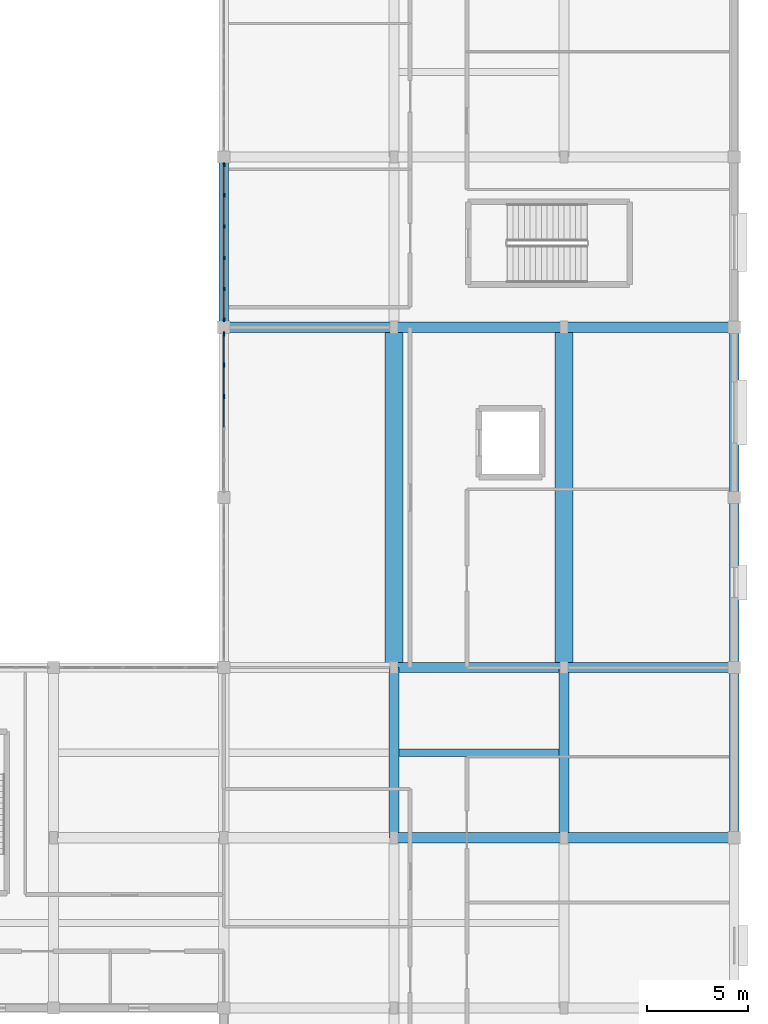
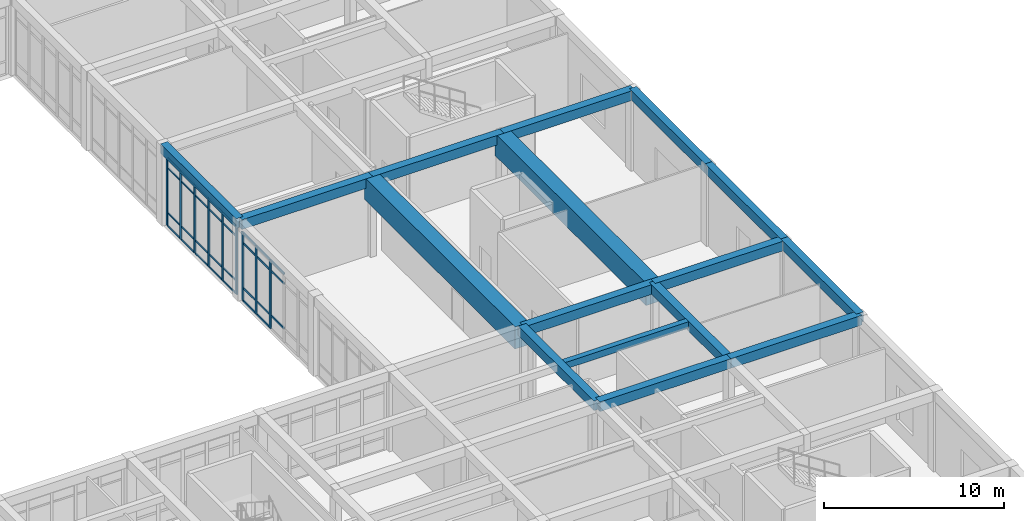
# One storey, part 34 of 89: 40 members, 16 beams, 2 elements without a shape of their own.
"""IFC4 building model written with IfcOpenShell, lengths in metres."""

from ifc_helpers import new_model, si_unit, direction, frame, origin, origin_2d, place, context, subcontext, project, spatial, rectangle, extrude, material, material_profile, profile_set, type_object, element, aggregate, save


model = new_model("IFC4")

# Units and contexts
model_context = context("Model", 3, precision=1e-05, world=origin(), true_north=direction((0.0, 1.0)))
body_context = subcontext(model_context, "Body", "Model", "MODEL_VIEW")
ifc_project = project(units=[si_unit("LENGTHUNIT", "METRE"), si_unit("AREAUNIT", "SQUARE_METRE"), si_unit("VOLUMEUNIT", "CUBIC_METRE"), si_unit("PLANEANGLEUNIT", "RADIAN"), si_unit("MASSUNIT", "GRAM", prefix="KILO")], contexts=[model_context])

# Site, building, storey
site_placement = place(None, origin())
site = spatial("IfcSite", under=ifc_project, at=site_placement, CompositionType="ELEMENT")
building_placement = place(site_placement, origin())
building = spatial("IfcBuilding", under=site, at=building_placement, Name="Varncliffe General Hospital", CompositionType="ELEMENT")
storey_placement = place(building_placement, frame((0.0, 0.0, 10.800048828125)))
storey = spatial("IfcBuildingStorey", under=building, at=storey_placement, Name="L02", CompositionType="ELEMENT", Elevation=10.800048828125)

# Beams
ifc_material_1 = material(Name="Concrete C35/45 (CSA A23.1 35 MPa)", Category="concrete")
ifc_material_profile_1 = material_profile(ifc_material_1, rectangle(XDim=0.5, YDim=0.64990234375, at=origin_2d()), Name="RC 500x650")
ifc_profile_set_1 = profile_set([ifc_material_profile_1], Name="Concrete C35/45 (CSA A23.1 35 MPa)")
beam_type_1 = type_object("IfcBeamType", Name="Beam B29 (Int RC 500x650)", PredefinedType="BEAM", material=ifc_profile_set_1)
for number, where, z_axis, x_axis, name in (
    (1, (159.60009765625, 32.39990234375, 5.074951171875), (1.0, 0.0, 0.0), (0.0, 1.0, 0.0), "L02 Primary Beam B29-39"),
    (2, (168.0, 32.39990234375, 5.074951171875), (1.0, 0.0, 0.0), (0.0, 1.0, 0.0), "L02 Primary Beam B29-40"),
    (3, (159.60009765625, 40.800048828125, 5.074951171875), (1.0, 0.0, 0.0), (0.0, 1.0, 0.0), "L02 Primary Beam B29-49"),
    (4, (168.0, 40.800048828125, 5.074951171875), (1.0, 0.0, 0.0), (0.0, 1.0, 0.0), "L02 Primary Beam B29-50"),
):
    element("IfcBeam", number, at=place(storey_placement, frame(where, z_axis=z_axis, x_axis=x_axis)), inside=storey, type_object=beam_type_1, Name=name, PredefinedType="BEAM", context=body_context, shape_type="SweptSolid", body=[
        extrude(rectangle(XDim=0.5, YDim=0.64990234375, at=origin_2d()), origin(), (0.0, 0.0, 1.0), 8.39990234375),
    ])
beam_1_placement = place(storey_placement, frame((151.199951171875, 57.60009765625, 5.074951171875), z_axis=(1.0, 0.0, 0.0), x_axis=(0.0, 1.0, 0.0)))
element("IfcBeam", 5, at=beam_1_placement, inside=storey, type_object=beam_type_1, Name="L02 Primary Beam B29-64", PredefinedType="BEAM", context=body_context, shape_type="SweptSolid", body=[
    extrude(rectangle(XDim=0.5, YDim=0.64990234375, at=origin_2d()), origin(), (0.0, 0.0, 1.0), 8.400146484375),
])
for number, where, z_axis, x_axis, name in (
    (6, (159.60009765625, 57.60009765625, 5.074951171875), (1.0, 0.0, 0.0), (0.0, 1.0, 0.0), "L02 Primary Beam B29-65"),
    (7, (168.0, 57.60009765625, 5.074951171875), (1.0, 0.0, 0.0), (0.0, 1.0, 0.0), "L02 Primary Beam B29-66"),
):
    element("IfcBeam", number, at=place(storey_placement, frame(where, z_axis=z_axis, x_axis=x_axis)), inside=storey, type_object=beam_type_1, Name=name, PredefinedType="BEAM", context=body_context, shape_type="SweptSolid", body=[
        extrude(rectangle(XDim=0.5, YDim=0.64990234375, at=origin_2d()), origin(), (0.0, 0.0, 1.0), 8.39990234375),
    ])
for number, where, z_axis, x_axis, name in (
    (8, (159.60009765625, 32.39990234375, 5.074951171875), (0.0, 1.0, 0.0), (-1.0, 0.0, 0.0), "L02 Primary Beam B29-450"),
    (9, (168.0, 32.39990234375, 5.074951171875), (0.0, 1.0, 0.0), (-1.0, 0.0, 0.0), "L02 Primary Beam B29-465"),
):
    element("IfcBeam", number, at=place(storey_placement, frame(where, z_axis=z_axis, x_axis=x_axis)), inside=storey, type_object=beam_type_1, Name=name, PredefinedType="BEAM", context=body_context, shape_type="SweptSolid", body=[
        extrude(rectangle(XDim=0.5, YDim=0.64990234375, at=origin_2d()), origin(), (0.0, 0.0, 1.0), 8.400146484375),
    ])
ifc_material_2 = material(Name="Concrete C40/50 (CSA A23.1 40 MPa)", Category="concrete")
ifc_material_profile_2 = material_profile(ifc_material_2, rectangle(XDim=0.89990234375, YDim=1.5, at=origin_2d()), Name="RC 900x1500")
ifc_profile_set_2 = profile_set([ifc_material_profile_2], Name="Concrete C40/50 (CSA A23.1 40 MPa)")
beam_type_2 = type_object("IfcBeamType", Name="Beam B88 (Int RC 900x1500)", PredefinedType="BEAM", material=ifc_profile_set_2)
for number, where, z_axis, x_axis, name in (
    (10, (159.60009765625, 40.800048828125, 4.64990234375), (0.0, 1.0, 0.0), (-1.0, 0.0, 0.0), "L02 Transfer Girder B88-451"),
    (11, (168.0, 40.800048828125, 4.64990234375), (0.0, 1.0, 0.0), (-1.0, 0.0, 0.0), "L02 Transfer Girder B88-466"),
):
    element("IfcBeam", number, at=place(storey_placement, frame(where, z_axis=z_axis, x_axis=x_axis)), inside=storey, type_object=beam_type_2, Name=name, PredefinedType="BEAM", context=body_context, shape_type="SweptSolid", body=[
        extrude(rectangle(XDim=0.89990234375, YDim=1.5, at=origin_2d()), origin(), (0.0, 0.0, 1.0), 16.800048828125),
    ])

# Curtain wall, members
ifc_material_3 = material(Name="Triple low-E argon insulated vision glazing", Category="glass")
curtain_wall_type_1 = type_object("IfcCurtainWallType", Name="Unitised Glazed Curtain Wall CW70 (7724x4640)", PredefinedType="USERDEFINED", material=ifc_material_3)
curtain_wall_1_placement = place(storey_placement, origin())
curtain_wall_1 = element("IfcCurtainWall", 12, at=curtain_wall_1_placement, inside=storey, type_object=curtain_wall_type_1, Name="L02 Glazed Curtain Wall CW70-124", ObjectType="GLAZED CURTAIN WALL", PredefinedType="USERDEFINED")
ifc_material_4 = material(Name="Dark bronze thermally broken aluminium framing", Category="aluminium")
ifc_material_profile_3 = material_profile(ifc_material_4, rectangle(XDim=0.074951171875, YDim=0.179931640625, at=origin_2d()), Name="ALU 75x180")
ifc_profile_set_3 = profile_set([ifc_material_profile_3], Name="Dark bronze thermally broken aluminium framing")
member_type_1 = type_object("IfcMemberType", Name="Curtain Wall Mullion CM44 (ALU 75x180)", PredefinedType="MULLION", material=ifc_profile_set_3)
member_1_placement = place(storey_placement, frame((151.199951171875, 57.9755859375, 0.0), z_axis=(0.0, 0.0, 1.0), x_axis=(-1.0, 0.0, 0.0)))
member_1 = element("IfcMember", 13, at=member_1_placement, type_object=member_type_1, Name="CW70 mullion 1", PredefinedType="MULLION", context=body_context, shape_type="SweptSolid", body=[
    extrude(rectangle(XDim=0.074951171875, YDim=0.179931640625, at=origin_2d()), origin(), (0.0, 0.0, 1.0), 4.639892578125),
])
member_2_placement = place(storey_placement, frame((151.199951171875, 59.48291015625, 0.0), z_axis=(0.0, 0.0, 1.0), x_axis=(-1.0, 0.0, 0.0)))
member_2 = element("IfcMember", 14, at=member_2_placement, type_object=member_type_1, Name="CW70 mullion 2", PredefinedType="MULLION", context=body_context, shape_type="SweptSolid", body=[
    extrude(rectangle(XDim=0.074951171875, YDim=0.179931640625, at=origin_2d()), origin(), (0.0, 0.0, 1.0), 4.639892578125),
])
member_3_placement = place(storey_placement, frame((151.199951171875, 61.027587890625, 0.0), z_axis=(0.0, 0.0, 1.0), x_axis=(-1.0, 0.0, 0.0)))
member_3 = element("IfcMember", 15, at=member_3_placement, type_object=member_type_1, Name="CW70 mullion 3", PredefinedType="MULLION", context=body_context, shape_type="SweptSolid", body=[
    extrude(rectangle(XDim=0.074951171875, YDim=0.179931640625, at=origin_2d()), origin(), (0.0, 0.0, 1.0), 4.639892578125),
])
member_4_placement = place(storey_placement, frame((151.199951171875, 62.572509765625, 0.0), z_axis=(0.0, 0.0, 1.0), x_axis=(-1.0, 0.0, 0.0)))
member_4 = element("IfcMember", 16, at=member_4_placement, type_object=member_type_1, Name="CW70 mullion 4", PredefinedType="MULLION", context=body_context, shape_type="SweptSolid", body=[
    extrude(rectangle(XDim=0.074951171875, YDim=0.179931640625, at=origin_2d()), origin(), (0.0, 0.0, 1.0), 4.639892578125),
])
member_5_placement = place(storey_placement, frame((151.199951171875, 64.1171875, 0.0), z_axis=(0.0, 0.0, 1.0), x_axis=(-1.0, 0.0, 0.0)))
member_5 = element("IfcMember", 17, at=member_5_placement, type_object=member_type_1, Name="CW70 mullion 5", PredefinedType="MULLION", context=body_context, shape_type="SweptSolid", body=[
    extrude(rectangle(XDim=0.074951171875, YDim=0.179931640625, at=origin_2d()), origin(), (0.0, 0.0, 1.0), 4.639892578125),
])
member_6_placement = place(storey_placement, frame((151.199951171875, 65.62451171875, 0.0), z_axis=(0.0, 0.0, 1.0), x_axis=(-1.0, 0.0, 0.0)))
member_6 = element("IfcMember", 18, at=member_6_placement, type_object=member_type_1, Name="CW70 mullion 6", PredefinedType="MULLION", context=body_context, shape_type="SweptSolid", body=[
    extrude(rectangle(XDim=0.074951171875, YDim=0.179931640625, at=origin_2d()), origin(), (0.0, 0.0, 1.0), 4.639892578125),
])

curtain_wall_type_2 = type_object("IfcCurtainWallType", Name="Unitised Glazed Curtain Wall CW85 (7804x4640)", PredefinedType="USERDEFINED", material=ifc_material_3)
curtain_wall_2_placement = place(storey_placement, origin())
curtain_wall_2 = element("IfcCurtainWall", 19, at=curtain_wall_2_placement, inside=storey, type_object=curtain_wall_type_2, Name="L02 Glazed Curtain Wall CW85-123", ObjectType="GLAZED CURTAIN WALL", PredefinedType="USERDEFINED")
ifc_material_profile_4 = material_profile(ifc_material_4, rectangle(XDim=0.074951171875, YDim=0.219970703125, at=origin_2d()), Name="ALU 75x220")
ifc_profile_set_4 = profile_set([ifc_material_profile_4], Name="Dark bronze thermally broken aluminium framing")
member_type_2 = type_object("IfcMemberType", Name="Curtain Wall Mullion CM74 (ALU 75x220)", PredefinedType="MULLION", material=ifc_profile_set_4)
member_7_placement = place(storey_placement, frame((151.199951171875, 54.180419921875, 0.0), z_axis=(0.0, 0.0, 1.0), x_axis=(-1.0, 0.0, 0.0)))
member_7 = element("IfcMember", 20, at=member_7_placement, type_object=member_type_2, Name="CW85 mullion 4", PredefinedType="MULLION", context=body_context, shape_type="SweptSolid", body=[
    extrude(rectangle(XDim=0.074951171875, YDim=0.219970703125, at=origin_2d()), origin(), (0.0, 0.0, 1.0), 4.639892578125),
])
member_8_placement = place(storey_placement, frame((151.199951171875, 55.7412109375, 0.0), z_axis=(0.0, 0.0, 1.0), x_axis=(-1.0, 0.0, 0.0)))
member_8 = element("IfcMember", 21, at=member_8_placement, type_object=member_type_2, Name="CW85 mullion 5", PredefinedType="MULLION", context=body_context, shape_type="SweptSolid", body=[
    extrude(rectangle(XDim=0.074951171875, YDim=0.219970703125, at=origin_2d()), origin(), (0.0, 0.0, 1.0), 4.639892578125),
])
member_9_placement = place(storey_placement, frame((151.199951171875, 57.264404296875, 0.0), z_axis=(0.0, 0.0, 1.0), x_axis=(-1.0, 0.0, 0.0)))
member_9 = element("IfcMember", 22, at=member_9_placement, type_object=member_type_2, Name="CW85 mullion 6", PredefinedType="MULLION", context=body_context, shape_type="SweptSolid", body=[
    extrude(rectangle(XDim=0.074951171875, YDim=0.219970703125, at=origin_2d()), origin(), (0.0, 0.0, 1.0), 4.639892578125),
])

# Member
ifc_material_profile_5 = material_profile(ifc_material_4, rectangle(XDim=0.06005859375, YDim=0.1201171875, at=origin_2d()), Name="ALU 60x120")
ifc_profile_set_5 = profile_set([ifc_material_profile_5], Name="Dark bronze thermally broken aluminium framing")
member_type_3 = type_object("IfcMemberType", Name="Curtain Wall Transom CT14 (ALU 60x120)", PredefinedType="USERDEFINED", material=ifc_profile_set_5)
member_10_placement = place(storey_placement, frame((151.199951171875, 58.012939453125, 0.030029296875), z_axis=(0.0, 1.0, 0.0), x_axis=(-1.0, 0.0, 0.0)))
member_10 = element("IfcMember", 23, at=member_10_placement, type_object=member_type_3, Name="CW70 transom 1.1", ObjectType="TRANSOM", PredefinedType="USERDEFINED", context=body_context, shape_type="SweptSolid", body=[
    extrude(rectangle(XDim=0.06005859375, YDim=0.1201171875, at=origin_2d()), origin(), (0.0, 0.0, 1.0), 1.432373046875),
])

member_11_placement = place(storey_placement, frame((151.199951171875, 58.012939453125, 0.89990234375), z_axis=(0.0, 1.0, 0.0), x_axis=(-1.0, 0.0, 0.0)))
member_11 = element("IfcMember", 24, at=member_11_placement, type_object=member_type_3, Name="CW70 transom 1.2", ObjectType="TRANSOM", PredefinedType="USERDEFINED", context=body_context, shape_type="SweptSolid", body=[
    extrude(rectangle(XDim=0.06005859375, YDim=0.1201171875, at=origin_2d()), origin(), (0.0, 0.0, 1.0), 1.432373046875),
])

member_12_placement = place(storey_placement, frame((151.199951171875, 58.012939453125, 3.93994140625), z_axis=(0.0, 1.0, 0.0), x_axis=(-1.0, 0.0, 0.0)))
member_12 = element("IfcMember", 25, at=member_12_placement, type_object=member_type_3, Name="CW70 transom 1.3", ObjectType="TRANSOM", PredefinedType="USERDEFINED", context=body_context, shape_type="SweptSolid", body=[
    extrude(rectangle(XDim=0.06005859375, YDim=0.1201171875, at=origin_2d()), origin(), (0.0, 0.0, 1.0), 1.432373046875),
])

member_13_placement = place(storey_placement, frame((151.199951171875, 58.012939453125, 4.60986328125), z_axis=(0.0, 1.0, 0.0), x_axis=(-1.0, 0.0, 0.0)))
member_13 = element("IfcMember", 26, at=member_13_placement, type_object=member_type_3, Name="CW70 transom 1.4", ObjectType="TRANSOM", PredefinedType="USERDEFINED", context=body_context, shape_type="SweptSolid", body=[
    extrude(rectangle(XDim=0.06005859375, YDim=0.1201171875, at=origin_2d()), origin(), (0.0, 0.0, 1.0), 1.432373046875),
])

member_14_placement = place(storey_placement, frame((151.199951171875, 59.520263671875, 0.030029296875), z_axis=(0.0, 1.0, 0.0), x_axis=(-1.0, 0.0, 0.0)))
member_14 = element("IfcMember", 27, at=member_14_placement, type_object=member_type_3, Name="CW70 transom 2.1", ObjectType="TRANSOM", PredefinedType="USERDEFINED", context=body_context, shape_type="SweptSolid", body=[
    extrude(rectangle(XDim=0.06005859375, YDim=0.1201171875, at=origin_2d()), origin(), (0.0, 0.0, 1.0), 1.4697265625),
])

member_15_placement = place(storey_placement, frame((151.199951171875, 59.520263671875, 0.89990234375), z_axis=(0.0, 1.0, 0.0), x_axis=(-1.0, 0.0, 0.0)))
member_15 = element("IfcMember", 28, at=member_15_placement, type_object=member_type_3, Name="CW70 transom 2.2", ObjectType="TRANSOM", PredefinedType="USERDEFINED", context=body_context, shape_type="SweptSolid", body=[
    extrude(rectangle(XDim=0.06005859375, YDim=0.1201171875, at=origin_2d()), origin(), (0.0, 0.0, 1.0), 1.4697265625),
])

member_16_placement = place(storey_placement, frame((151.199951171875, 59.520263671875, 3.93994140625), z_axis=(0.0, 1.0, 0.0), x_axis=(-1.0, 0.0, 0.0)))
member_16 = element("IfcMember", 29, at=member_16_placement, type_object=member_type_3, Name="CW70 transom 2.3", ObjectType="TRANSOM", PredefinedType="USERDEFINED", context=body_context, shape_type="SweptSolid", body=[
    extrude(rectangle(XDim=0.06005859375, YDim=0.1201171875, at=origin_2d()), origin(), (0.0, 0.0, 1.0), 1.4697265625),
])

member_17_placement = place(storey_placement, frame((151.199951171875, 59.520263671875, 4.60986328125), z_axis=(0.0, 1.0, 0.0), x_axis=(-1.0, 0.0, 0.0)))
member_17 = element("IfcMember", 30, at=member_17_placement, type_object=member_type_3, Name="CW70 transom 2.4", ObjectType="TRANSOM", PredefinedType="USERDEFINED", context=body_context, shape_type="SweptSolid", body=[
    extrude(rectangle(XDim=0.06005859375, YDim=0.1201171875, at=origin_2d()), origin(), (0.0, 0.0, 1.0), 1.4697265625),
])

member_18_placement = place(storey_placement, frame((151.199951171875, 61.065185546875, 0.030029296875), z_axis=(0.0, 1.0, 0.0), x_axis=(-1.0, 0.0, 0.0)))
member_18 = element("IfcMember", 31, at=member_18_placement, type_object=member_type_3, Name="CW70 transom 3.1", ObjectType="TRANSOM", PredefinedType="USERDEFINED", context=body_context, shape_type="SweptSolid", body=[
    extrude(rectangle(XDim=0.06005859375, YDim=0.1201171875, at=origin_2d()), origin(), (0.0, 0.0, 1.0), 1.4697265625),
])

member_19_placement = place(storey_placement, frame((151.199951171875, 61.065185546875, 0.89990234375), z_axis=(0.0, 1.0, 0.0), x_axis=(-1.0, 0.0, 0.0)))
member_19 = element("IfcMember", 32, at=member_19_placement, type_object=member_type_3, Name="CW70 transom 3.2", ObjectType="TRANSOM", PredefinedType="USERDEFINED", context=body_context, shape_type="SweptSolid", body=[
    extrude(rectangle(XDim=0.06005859375, YDim=0.1201171875, at=origin_2d()), origin(), (0.0, 0.0, 1.0), 1.4697265625),
])

member_20_placement = place(storey_placement, frame((151.199951171875, 61.065185546875, 3.93994140625), z_axis=(0.0, 1.0, 0.0), x_axis=(-1.0, 0.0, 0.0)))
member_20 = element("IfcMember", 33, at=member_20_placement, type_object=member_type_3, Name="CW70 transom 3.3", ObjectType="TRANSOM", PredefinedType="USERDEFINED", context=body_context, shape_type="SweptSolid", body=[
    extrude(rectangle(XDim=0.06005859375, YDim=0.1201171875, at=origin_2d()), origin(), (0.0, 0.0, 1.0), 1.4697265625),
])

member_21_placement = place(storey_placement, frame((151.199951171875, 61.065185546875, 4.60986328125), z_axis=(0.0, 1.0, 0.0), x_axis=(-1.0, 0.0, 0.0)))
member_21 = element("IfcMember", 34, at=member_21_placement, type_object=member_type_3, Name="CW70 transom 3.4", ObjectType="TRANSOM", PredefinedType="USERDEFINED", context=body_context, shape_type="SweptSolid", body=[
    extrude(rectangle(XDim=0.06005859375, YDim=0.1201171875, at=origin_2d()), origin(), (0.0, 0.0, 1.0), 1.4697265625),
])

member_22_placement = place(storey_placement, frame((151.199951171875, 62.60986328125, 0.030029296875), z_axis=(0.0, 1.0, 0.0), x_axis=(-1.0, 0.0, 0.0)))
member_22 = element("IfcMember", 35, at=member_22_placement, type_object=member_type_3, Name="CW70 transom 4.1", ObjectType="TRANSOM", PredefinedType="USERDEFINED", context=body_context, shape_type="SweptSolid", body=[
    extrude(rectangle(XDim=0.06005859375, YDim=0.1201171875, at=origin_2d()), origin(), (0.0, 0.0, 1.0), 1.4697265625),
])

member_23_placement = place(storey_placement, frame((151.199951171875, 62.60986328125, 0.89990234375), z_axis=(0.0, 1.0, 0.0), x_axis=(-1.0, 0.0, 0.0)))
member_23 = element("IfcMember", 36, at=member_23_placement, type_object=member_type_3, Name="CW70 transom 4.2", ObjectType="TRANSOM", PredefinedType="USERDEFINED", context=body_context, shape_type="SweptSolid", body=[
    extrude(rectangle(XDim=0.06005859375, YDim=0.1201171875, at=origin_2d()), origin(), (0.0, 0.0, 1.0), 1.4697265625),
])

member_24_placement = place(storey_placement, frame((151.199951171875, 62.60986328125, 3.93994140625), z_axis=(0.0, 1.0, 0.0), x_axis=(-1.0, 0.0, 0.0)))
member_24 = element("IfcMember", 37, at=member_24_placement, type_object=member_type_3, Name="CW70 transom 4.3", ObjectType="TRANSOM", PredefinedType="USERDEFINED", context=body_context, shape_type="SweptSolid", body=[
    extrude(rectangle(XDim=0.06005859375, YDim=0.1201171875, at=origin_2d()), origin(), (0.0, 0.0, 1.0), 1.4697265625),
])

member_25_placement = place(storey_placement, frame((151.199951171875, 62.60986328125, 4.60986328125), z_axis=(0.0, 1.0, 0.0), x_axis=(-1.0, 0.0, 0.0)))
member_25 = element("IfcMember", 38, at=member_25_placement, type_object=member_type_3, Name="CW70 transom 4.4", ObjectType="TRANSOM", PredefinedType="USERDEFINED", context=body_context, shape_type="SweptSolid", body=[
    extrude(rectangle(XDim=0.06005859375, YDim=0.1201171875, at=origin_2d()), origin(), (0.0, 0.0, 1.0), 1.4697265625),
])

member_26_placement = place(storey_placement, frame((151.199951171875, 64.15478515625, 0.030029296875), z_axis=(0.0, 1.0, 0.0), x_axis=(-1.0, 0.0, 0.0)))
member_26 = element("IfcMember", 39, at=member_26_placement, type_object=member_type_3, Name="CW70 transom 5.1", ObjectType="TRANSOM", PredefinedType="USERDEFINED", context=body_context, shape_type="SweptSolid", body=[
    extrude(rectangle(XDim=0.06005859375, YDim=0.1201171875, at=origin_2d()), origin(), (0.0, 0.0, 1.0), 1.43212890625),
])

member_27_placement = place(storey_placement, frame((151.199951171875, 64.15478515625, 0.89990234375), z_axis=(0.0, 1.0, 0.0), x_axis=(-1.0, 0.0, 0.0)))
member_27 = element("IfcMember", 40, at=member_27_placement, type_object=member_type_3, Name="CW70 transom 5.2", ObjectType="TRANSOM", PredefinedType="USERDEFINED", context=body_context, shape_type="SweptSolid", body=[
    extrude(rectangle(XDim=0.06005859375, YDim=0.1201171875, at=origin_2d()), origin(), (0.0, 0.0, 1.0), 1.43212890625),
])

member_28_placement = place(storey_placement, frame((151.199951171875, 64.15478515625, 3.93994140625), z_axis=(0.0, 1.0, 0.0), x_axis=(-1.0, 0.0, 0.0)))
member_28 = element("IfcMember", 41, at=member_28_placement, type_object=member_type_3, Name="CW70 transom 5.3", ObjectType="TRANSOM", PredefinedType="USERDEFINED", context=body_context, shape_type="SweptSolid", body=[
    extrude(rectangle(XDim=0.06005859375, YDim=0.1201171875, at=origin_2d()), origin(), (0.0, 0.0, 1.0), 1.43212890625),
])

member_29_placement = place(storey_placement, frame((151.199951171875, 64.15478515625, 4.60986328125), z_axis=(0.0, 1.0, 0.0), x_axis=(-1.0, 0.0, 0.0)))
member_29 = element("IfcMember", 42, at=member_29_placement, type_object=member_type_3, Name="CW70 transom 5.4", ObjectType="TRANSOM", PredefinedType="USERDEFINED", context=body_context, shape_type="SweptSolid", body=[
    extrude(rectangle(XDim=0.06005859375, YDim=0.1201171875, at=origin_2d()), origin(), (0.0, 0.0, 1.0), 1.43212890625),
])

aggregate(curtain_wall_1, [member_1, member_2, member_3, member_4, member_5, member_6, member_10, member_11, member_12, member_13, member_14, member_15, member_16, member_17, member_18, member_19, member_20, member_21, member_22, member_23, member_24, member_25, member_26, member_27, member_28, member_29])

ifc_material_profile_6 = material_profile(ifc_material_4, rectangle(XDim=0.06494140625, YDim=0.139892578125, at=origin_2d()), Name="ALU 65x140")
ifc_profile_set_6 = profile_set([ifc_material_profile_6], Name="Dark bronze thermally broken aluminium framing")
member_type_4 = type_object("IfcMemberType", Name="Curtain Wall Transom CT69 (ALU 65x140)", PredefinedType="USERDEFINED", material=ifc_profile_set_6)
member_30_placement = place(storey_placement, frame((151.199951171875, 52.656982421875, 0.89990234375), z_axis=(0.0, 1.0, 0.0), x_axis=(-1.0, 0.0, 0.0)))
member_30 = element("IfcMember", 43, at=member_30_placement, type_object=member_type_4, Name="CW85 transom 3.2", ObjectType="TRANSOM", PredefinedType="USERDEFINED", context=body_context, shape_type="SweptSolid", body=[
    extrude(rectangle(XDim=0.06494140625, YDim=0.139892578125, at=origin_2d()), origin(), (0.0, 0.0, 1.0), 1.48583984375),
])

member_31_placement = place(storey_placement, frame((151.199951171875, 52.656982421875, 3.93994140625), z_axis=(0.0, 1.0, 0.0), x_axis=(-1.0, 0.0, 0.0)))
member_31 = element("IfcMember", 44, at=member_31_placement, type_object=member_type_4, Name="CW85 transom 3.3", ObjectType="TRANSOM", PredefinedType="USERDEFINED", context=body_context, shape_type="SweptSolid", body=[
    extrude(rectangle(XDim=0.06494140625, YDim=0.139892578125, at=origin_2d()), origin(), (0.0, 0.0, 1.0), 1.48583984375),
])

member_32_placement = place(storey_placement, frame((151.199951171875, 52.656982421875, 4.607421875), z_axis=(0.0, 1.0, 0.0), x_axis=(-1.0, 0.0, 0.0)))
member_32 = element("IfcMember", 45, at=member_32_placement, type_object=member_type_4, Name="CW85 transom 3.4", ObjectType="TRANSOM", PredefinedType="USERDEFINED", context=body_context, shape_type="SweptSolid", body=[
    extrude(rectangle(XDim=0.06494140625, YDim=0.139892578125, at=origin_2d()), origin(), (0.0, 0.0, 1.0), 1.48583984375),
])

member_33_placement = place(storey_placement, frame((151.199951171875, 54.218017578125, 0.032470703125), z_axis=(0.0, 1.0, 0.0), x_axis=(-1.0, 0.0, 0.0)))
member_33 = element("IfcMember", 46, at=member_33_placement, type_object=member_type_4, Name="CW85 transom 4.1", ObjectType="TRANSOM", PredefinedType="USERDEFINED", context=body_context, shape_type="SweptSolid", body=[
    extrude(rectangle(XDim=0.06494140625, YDim=0.139892578125, at=origin_2d()), origin(), (0.0, 0.0, 1.0), 1.485595703125),
])

member_34_placement = place(storey_placement, frame((151.199951171875, 54.218017578125, 0.89990234375), z_axis=(0.0, 1.0, 0.0), x_axis=(-1.0, 0.0, 0.0)))
member_34 = element("IfcMember", 47, at=member_34_placement, type_object=member_type_4, Name="CW85 transom 4.2", ObjectType="TRANSOM", PredefinedType="USERDEFINED", context=body_context, shape_type="SweptSolid", body=[
    extrude(rectangle(XDim=0.06494140625, YDim=0.139892578125, at=origin_2d()), origin(), (0.0, 0.0, 1.0), 1.485595703125),
])

member_35_placement = place(storey_placement, frame((151.199951171875, 54.218017578125, 3.93994140625), z_axis=(0.0, 1.0, 0.0), x_axis=(-1.0, 0.0, 0.0)))
member_35 = element("IfcMember", 48, at=member_35_placement, type_object=member_type_4, Name="CW85 transom 4.3", ObjectType="TRANSOM", PredefinedType="USERDEFINED", context=body_context, shape_type="SweptSolid", body=[
    extrude(rectangle(XDim=0.06494140625, YDim=0.139892578125, at=origin_2d()), origin(), (0.0, 0.0, 1.0), 1.485595703125),
])

member_36_placement = place(storey_placement, frame((151.199951171875, 54.218017578125, 4.607421875), z_axis=(0.0, 1.0, 0.0), x_axis=(-1.0, 0.0, 0.0)))
member_36 = element("IfcMember", 49, at=member_36_placement, type_object=member_type_4, Name="CW85 transom 4.4", ObjectType="TRANSOM", PredefinedType="USERDEFINED", context=body_context, shape_type="SweptSolid", body=[
    extrude(rectangle(XDim=0.06494140625, YDim=0.139892578125, at=origin_2d()), origin(), (0.0, 0.0, 1.0), 1.485595703125),
])

member_37_placement = place(storey_placement, frame((151.199951171875, 55.77880859375, 0.032470703125), z_axis=(0.0, 1.0, 0.0), x_axis=(-1.0, 0.0, 0.0)))
member_37 = element("IfcMember", 50, at=member_37_placement, type_object=member_type_4, Name="CW85 transom 5.1", ObjectType="TRANSOM", PredefinedType="USERDEFINED", context=body_context, shape_type="SweptSolid", body=[
    extrude(rectangle(XDim=0.06494140625, YDim=0.139892578125, at=origin_2d()), origin(), (0.0, 0.0, 1.0), 1.4482421875),
])

member_38_placement = place(storey_placement, frame((151.199951171875, 55.77880859375, 0.89990234375), z_axis=(0.0, 1.0, 0.0), x_axis=(-1.0, 0.0, 0.0)))
member_38 = element("IfcMember", 51, at=member_38_placement, type_object=member_type_4, Name="CW85 transom 5.2", ObjectType="TRANSOM", PredefinedType="USERDEFINED", context=body_context, shape_type="SweptSolid", body=[
    extrude(rectangle(XDim=0.06494140625, YDim=0.139892578125, at=origin_2d()), origin(), (0.0, 0.0, 1.0), 1.4482421875),
])

member_39_placement = place(storey_placement, frame((151.199951171875, 55.77880859375, 3.93994140625), z_axis=(0.0, 1.0, 0.0), x_axis=(-1.0, 0.0, 0.0)))
member_39 = element("IfcMember", 52, at=member_39_placement, type_object=member_type_4, Name="CW85 transom 5.3", ObjectType="TRANSOM", PredefinedType="USERDEFINED", context=body_context, shape_type="SweptSolid", body=[
    extrude(rectangle(XDim=0.06494140625, YDim=0.139892578125, at=origin_2d()), origin(), (0.0, 0.0, 1.0), 1.4482421875),
])

member_40_placement = place(storey_placement, frame((151.199951171875, 55.77880859375, 4.607421875), z_axis=(0.0, 1.0, 0.0), x_axis=(-1.0, 0.0, 0.0)))
member_40 = element("IfcMember", 53, at=member_40_placement, type_object=member_type_4, Name="CW85 transom 5.4", ObjectType="TRANSOM", PredefinedType="USERDEFINED", context=body_context, shape_type="SweptSolid", body=[
    extrude(rectangle(XDim=0.06494140625, YDim=0.139892578125, at=origin_2d()), origin(), (0.0, 0.0, 1.0), 1.4482421875),
])

aggregate(curtain_wall_2, [member_7, member_8, member_9, member_30, member_31, member_32, member_33, member_34, member_35, member_36, member_37, member_38, member_39, member_40])

# Beams
ifc_material_profile_7 = material_profile(ifc_material_1, rectangle(XDim=0.35009765625, YDim=0.449951171875, at=origin_2d()), Name="RC 350x450")
ifc_profile_set_7 = profile_set([ifc_material_profile_7], Name="Concrete C35/45 (CSA A23.1 35 MPa)")
beam_type_3 = type_object("IfcBeamType", Name="Joist J55 (Int RC 350x450)", PredefinedType="JOIST", material=ifc_profile_set_7)
beam_2_placement = place(storey_placement, frame((159.847900390625, 36.60009765625, 5.175048828125), z_axis=(1.0, 0.0, 0.0), x_axis=(0.0, 1.0, 0.0)))
element("IfcBeam", 54, at=beam_2_placement, inside=storey, type_object=beam_type_3, Name="L02 Secondary Floor Rib J55-65", PredefinedType="JOIST", context=body_context, shape_type="SweptSolid", body=[
    extrude(rectangle(XDim=0.35009765625, YDim=0.449951171875, at=origin_2d()), origin(), (0.0, 0.0, 1.0), 7.904052734375),
])
ifc_material_profile_8 = material_profile(ifc_material_1, rectangle(XDim=0.449951171875, YDim=0.64990234375, at=origin_2d()), Name="RC 450x650")
ifc_profile_set_8 = profile_set([ifc_material_profile_8], Name="Concrete C35/45 (CSA A23.1 35 MPa)")
beam_type_4 = type_object("IfcBeamType", Name="Spandrel SP38 (Ext RC 450x650B)", PredefinedType="SPANDREL", material=ifc_profile_set_8)
beam_3_placement = place(storey_placement, frame((151.199951171875, 57.60009765625, 5.074951171875), z_axis=(0.0, 1.0, 0.0), x_axis=(-1.0, 0.0, 0.0)))
element("IfcBeam", 55, at=beam_3_placement, inside=storey, type_object=beam_type_4, Name="L02 Spandrel Beam SP38-436", PredefinedType="SPANDREL", context=body_context, shape_type="SweptSolid", body=[
    extrude(rectangle(XDim=0.449951171875, YDim=0.64990234375, at=origin_2d()), origin(), (0.0, 0.0, 1.0), 8.39990234375),
])
beam_4_placement = place(storey_placement, frame((176.39990234375, 32.39990234375, 5.074951171875), z_axis=(0.0, 1.0, 0.0), x_axis=(-1.0, 0.0, 0.0)))
element("IfcBeam", 56, at=beam_4_placement, inside=storey, type_object=beam_type_4, Name="L02 Spandrel Beam SP38-480", PredefinedType="SPANDREL", context=body_context, shape_type="SweptSolid", body=[
    extrude(rectangle(XDim=0.449951171875, YDim=0.64990234375, at=origin_2d()), origin(), (0.0, 0.0, 1.0), 8.400146484375),
])
beam_5_placement = place(storey_placement, frame((176.39990234375, 40.800048828125, 5.074951171875), z_axis=(0.0, 1.0, 0.0), x_axis=(-1.0, 0.0, 0.0)))
element("IfcBeam", 57, at=beam_5_placement, inside=storey, type_object=beam_type_4, Name="L02 Spandrel Beam SP38-481", PredefinedType="SPANDREL", context=body_context, shape_type="SweptSolid", body=[
    extrude(rectangle(XDim=0.449951171875, YDim=0.64990234375, at=origin_2d()), origin(), (0.0, 0.0, 1.0), 8.39990234375),
])
beam_6_placement = place(storey_placement, frame((176.39990234375, 49.199951171875, 5.074951171875), z_axis=(0.0, 1.0, 0.0), x_axis=(-1.0, 0.0, 0.0)))
element("IfcBeam", 58, at=beam_6_placement, inside=storey, type_object=beam_type_4, Name="L02 Spandrel Beam SP38-482", PredefinedType="SPANDREL", context=body_context, shape_type="SweptSolid", body=[
    extrude(rectangle(XDim=0.449951171875, YDim=0.64990234375, at=origin_2d()), origin(), (0.0, 0.0, 1.0), 8.400146484375),
])

save(model, "model.ifc")
